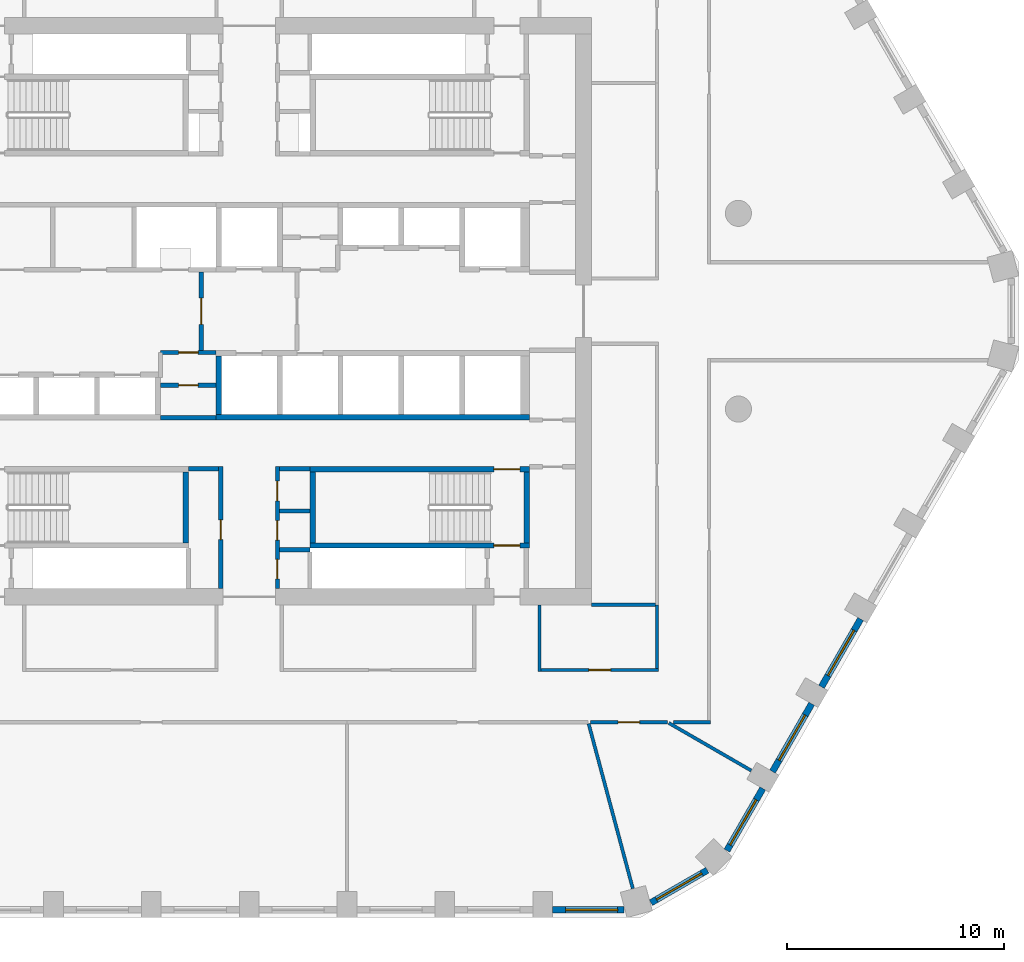
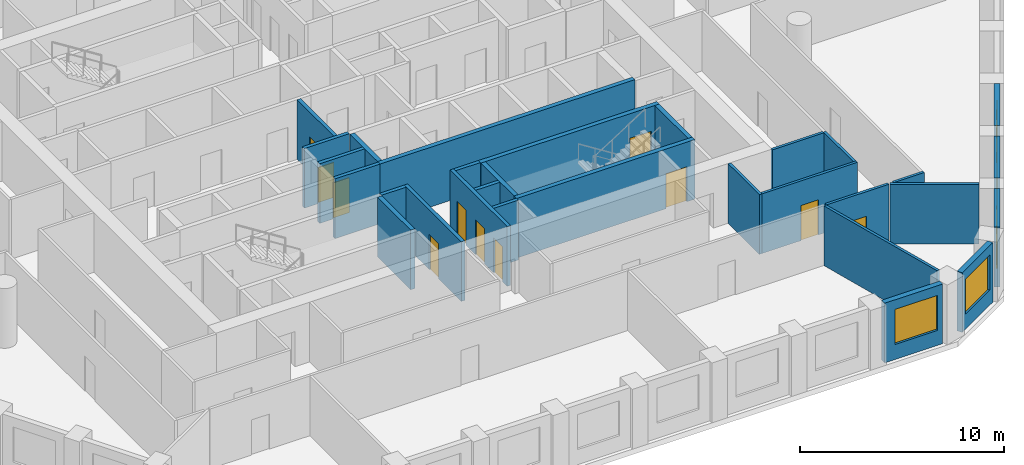
# One storey, part 4 of 10: 30 walls, 11 doors, 5 windows, 16 openings.
"""IFC4 building model written with IfcOpenShell, lengths in metres."""

from ifc_helpers import new_model, si_unit, direction, frame, frame_2d, origin, place, context, subcontext, project, spatial, polyline, rectangle, outline, extrude, material, layer, layer_set, type_object, element, fill, save


model = new_model("IFC4")

# Units and contexts
model_context = context("Model", 3, precision=1e-05, world=origin(), true_north=direction((0.0, 1.0)))
body_context = subcontext(model_context, "Body", "Model", "MODEL_VIEW")
ifc_project = project(units=[si_unit("LENGTHUNIT", "METRE"), si_unit("AREAUNIT", "SQUARE_METRE"), si_unit("VOLUMEUNIT", "CUBIC_METRE"), si_unit("PLANEANGLEUNIT", "RADIAN"), si_unit("MASSUNIT", "GRAM", prefix="KILO")], contexts=[model_context])

# Site, building, storey
site_placement = place(None, origin())
site = spatial("IfcSite", under=ifc_project, at=site_placement, CompositionType="ELEMENT")
building_placement = place(site_placement, origin())
building = spatial("IfcBuilding", under=site, at=building_placement, Name="Dhurran Vertical Campus", CompositionType="ELEMENT")
storey_placement = place(building_placement, frame((0.0, 0.0, 152.10009765625)))
storey = spatial("IfcBuildingStorey", under=building, at=storey_placement, Name="L37", CompositionType="ELEMENT", Elevation=152.10009765625)

# Wall, opening, window
ifc_material_1 = material(Name="Precast concrete C50/60", Category="concrete")
ifc_layer_1 = layer(ifc_material_1, 0.300048828125)
ifc_layer_set_1 = layer_set([ifc_layer_1], Name="Precast concrete C50/60")
wall_type_1 = type_object("IfcWallType", Name="Precast spandrel wall 300", PredefinedType="SOLIDWALL", material=ifc_layer_set_1)
wall_1_placement = place(storey_placement, frame((13.950439453125, -27.53271484375, 0.0), z_axis=(0.0, 0.0, 1.0), x_axis=(1.0, 0.0, 0.0)))
wall_1 = element("IfcWall", 1, at=wall_1_placement, inside=storey, type_object=wall_type_1, Name="EW1 L37.07", PredefinedType="SOLIDWALL", context=body_context, shape_type="SweptSolid", body=[
    extrude(rectangle(XDim=3.294189453125, YDim=0.300048828125, at=frame_2d((1.64697265625, 0.0))), origin(), (0.0, 0.0, 1.0), 3.574951171875),
])
opening_1_placement = place(wall_1_placement, frame((0.599609375, 0.0, 0.89990234375)))
opening_1 = element("IfcOpeningElement", 2, at=opening_1_placement, cuts=wall_1, Name="Opening WT1", PredefinedType="OPENING", context=body_context, shape_type="SweptSolid", body=[
    extrude(rectangle(XDim=2.39990234375, YDim=2.10009765625, at=frame_2d((1.199951171875, 1.050048828125))), frame((0.0, 0.159912109375, 0.0), z_axis=(0.0, -1.0, 0.0), x_axis=(1.0, 0.0, 0.0)), (0.0, 0.0, 1.0), 0.320068359375),
])
ifc_material_2 = material(Name="Aluminium frame with solar-control glass", Category="aluminium")
window_type = type_object("IfcWindowType", Name="Punched window 2400 x 2100", PartitioningType="SINGLE_PANEL", PredefinedType="WINDOW", material=ifc_material_2)
window_1_placement = place(opening_1_placement, origin())
window_1 = element("IfcWindow", 3, at=window_1_placement, inside=storey, type_object=window_type, Name="WT1 L37.07", OverallHeight=2.10009765625, OverallWidth=2.39990234375, PartitioningType="SINGLE_PANEL", PredefinedType="WINDOW", context=body_context, shape_type="SweptSolid", body=[
    extrude(rectangle(XDim=2.39990234375, YDim=2.10009765625, at=frame_2d((1.199951171875, 1.050048828125))), frame((0.0, 0.030029296875, 0.0), z_axis=(0.0, -1.0, 0.0), x_axis=(1.0, 0.0, 0.0)), (0.0, 0.0, 1.0), 0.06005859375),
])
fill(opening_1, window_1)

wall_2_placement = place(storey_placement, frame((18.479248046875, -27.201904296875, 0.0), z_axis=(0.0, 0.0, 1.0), x_axis=(0.866012844897, 0.500021752, 0.0)))
wall_2 = element("IfcWall", 4, at=wall_2_placement, inside=storey, type_object=wall_type_1, Name="EW1 L37.08", PredefinedType="SOLIDWALL", context=body_context, shape_type="SweptSolid", body=[
    extrude(rectangle(XDim=2.989013671875, YDim=0.300048828125, at=frame_2d((1.49462890625, 0.0))), origin(), (0.0, 0.0, 1.0), 3.574951171875),
])
opening_2_placement = place(wall_2_placement, frame((0.294677734375, 0.0, 0.89990234375)))
opening_2 = element("IfcOpeningElement", 5, at=opening_2_placement, cuts=wall_2, Name="Opening WT1", PredefinedType="OPENING", context=body_context, shape_type="SweptSolid", body=[
    extrude(rectangle(XDim=2.39990234375, YDim=2.10009765625, at=frame_2d((1.199951171875, 1.050048828125))), frame((0.0, 0.159912109375, 0.0), z_axis=(0.0, -1.0, 0.0), x_axis=(1.0, 0.0, 0.0)), (0.0, 0.0, 1.0), 0.320068359375),
])
window_2_placement = place(opening_2_placement, origin())
window_2 = element("IfcWindow", 6, at=window_2_placement, inside=storey, type_object=window_type, Name="WT1 L37.08", OverallHeight=2.10009765625, OverallWidth=2.39990234375, PartitioningType="SINGLE_PANEL", PredefinedType="WINDOW", context=body_context, shape_type="SweptSolid", body=[
    extrude(rectangle(XDim=2.39990234375, YDim=2.10009765625, at=frame_2d((1.199951171875, 1.050048828125))), frame((0.0, 0.030029296875, 0.0), z_axis=(0.0, -1.0, 0.0), x_axis=(1.0, 0.0, 0.0)), (0.0, 0.0, 1.0), 0.06005859375),
])
fill(opening_2, window_2)

wall_3_placement = place(storey_placement, frame((21.9716796875, -24.803466796875, 0.0), z_axis=(0.0, 0.0, 1.0), x_axis=(0.500036802197, 0.866004154983, 0.0)))
wall_3 = element("IfcWall", 7, at=wall_3_placement, inside=storey, type_object=wall_type_1, Name="EW1 L37.09", PredefinedType="SOLIDWALL", context=body_context, shape_type="SweptSolid", body=[
    extrude(rectangle(XDim=3.294189453125, YDim=0.300048828125, at=frame_2d((1.64697265625, 0.0))), origin(), (0.0, 0.0, 1.0), 3.574951171875),
])
opening_3_placement = place(wall_3_placement, frame((0.29443359375, 0.0, 0.89990234375)))
opening_3 = element("IfcOpeningElement", 8, at=opening_3_placement, cuts=wall_3, Name="Opening WT1", PredefinedType="OPENING", context=body_context, shape_type="SweptSolid", body=[
    extrude(rectangle(XDim=2.39990234375, YDim=2.10009765625, at=frame_2d((1.199951171875, 1.050048828125))), frame((0.0, 0.159912109375, 0.0), z_axis=(0.0, -1.0, 0.0), x_axis=(1.0, 0.0, 0.0)), (0.0, 0.0, 1.0), 0.320068359375),
])
window_3_placement = place(opening_3_placement, origin())
window_3 = element("IfcWindow", 9, at=window_3_placement, inside=storey, type_object=window_type, Name="WT1 L37.09", OverallHeight=2.10009765625, OverallWidth=2.39990234375, PartitioningType="SINGLE_PANEL", PredefinedType="WINDOW", context=body_context, shape_type="SweptSolid", body=[
    extrude(rectangle(XDim=2.39990234375, YDim=2.10009765625, at=frame_2d((1.199951171875, 1.050048828125))), frame((0.0, 0.030029296875, 0.0), z_axis=(0.0, -1.0, 0.0), x_axis=(1.0, 0.0, 0.0)), (0.0, 0.0, 1.0), 0.06005859375),
])
fill(opening_3, window_3)

wall_4_placement = place(storey_placement, frame((24.0693359375, -21.17041015625, 0.0), z_axis=(0.0, 0.0, 1.0), x_axis=(0.500027802648, 0.866009351323, 0.0)))
wall_4 = element("IfcWall", 10, at=wall_4_placement, inside=storey, type_object=wall_type_1, Name="EW1 L37.10", PredefinedType="SOLIDWALL", context=body_context, shape_type="SweptSolid", body=[
    extrude(rectangle(XDim=3.598876953125, YDim=0.300048828125, at=frame_2d((1.79931640625, 0.0))), origin(), (0.0, 0.0, 1.0), 3.574951171875),
])
opening_4_placement = place(wall_4_placement, frame((0.599609375, 0.0, 0.89990234375)))
opening_4 = element("IfcOpeningElement", 11, at=opening_4_placement, cuts=wall_4, Name="Opening WT1", PredefinedType="OPENING", context=body_context, shape_type="SweptSolid", body=[
    extrude(rectangle(XDim=2.39990234375, YDim=2.10009765625, at=frame_2d((1.199951171875, 1.050048828125))), frame((0.0, 0.159912109375, 0.0), z_axis=(0.0, -1.0, 0.0), x_axis=(1.0, 0.0, 0.0)), (0.0, 0.0, 1.0), 0.320068359375),
])
window_4_placement = place(opening_4_placement, origin())
window_4 = element("IfcWindow", 12, at=window_4_placement, inside=storey, type_object=window_type, Name="WT1 L37.10", OverallHeight=2.10009765625, OverallWidth=2.39990234375, PartitioningType="SINGLE_PANEL", PredefinedType="WINDOW", context=body_context, shape_type="SweptSolid", body=[
    extrude(rectangle(XDim=2.39990234375, YDim=2.10009765625, at=frame_2d((1.199951171875, 1.050048828125))), frame((0.0, 0.030029296875, 0.0), z_axis=(0.0, -1.0, 0.0), x_axis=(1.0, 0.0, 0.0)), (0.0, 0.0, 1.0), 0.06005859375),
])
fill(opening_4, window_4)

wall_5_placement = place(storey_placement, frame((26.3193359375, -17.273193359375, 0.0), z_axis=(0.0, 0.0, 1.0), x_axis=(0.500027802648, 0.866009351323, 0.0)))
wall_5 = element("IfcWall", 13, at=wall_5_placement, inside=storey, type_object=wall_type_1, Name="EW1 L37.11", PredefinedType="SOLIDWALL", context=body_context, shape_type="SweptSolid", body=[
    extrude(rectangle(XDim=3.598876953125, YDim=0.300048828125, at=frame_2d((1.79931640625, 0.0))), origin(), (0.0, 0.0, 1.0), 3.574951171875),
])
opening_5_placement = place(wall_5_placement, frame((0.599609375, 0.0, 0.89990234375)))
opening_5 = element("IfcOpeningElement", 14, at=opening_5_placement, cuts=wall_5, Name="Opening WT1", PredefinedType="OPENING", context=body_context, shape_type="SweptSolid", body=[
    extrude(rectangle(XDim=2.39990234375, YDim=2.10009765625, at=frame_2d((1.199951171875, 1.050048828125))), frame((0.0, 0.159912109375, 0.0), z_axis=(0.0, -1.0, 0.0), x_axis=(1.0, 0.0, 0.0)), (0.0, 0.0, 1.0), 0.320068359375),
])
window_5_placement = place(opening_5_placement, origin())
window_5 = element("IfcWindow", 15, at=window_5_placement, inside=storey, type_object=window_type, Name="WT1 L37.11", OverallHeight=2.10009765625, OverallWidth=2.39990234375, PartitioningType="SINGLE_PANEL", PredefinedType="WINDOW", context=body_context, shape_type="SweptSolid", body=[
    extrude(rectangle(XDim=2.39990234375, YDim=2.10009765625, at=frame_2d((1.199951171875, 1.050048828125))), frame((0.0, 0.030029296875, 0.0), z_axis=(0.0, -1.0, 0.0), x_axis=(1.0, 0.0, 0.0)), (0.0, 0.0, 1.0), 0.06005859375),
])
fill(opening_5, window_5)

# Wall, opening, door
ifc_material_3 = material(Name="Fire-rated masonry blockwork", Category="masonry")
ifc_layer_2 = layer(ifc_material_3, 0.199951171875)
ifc_layer_set_2 = layer_set([ifc_layer_2], Name="Fire-rated masonry blockwork")
wall_type_2 = type_object("IfcWallType", Name="co-FIRE-PARTITION-200", PredefinedType="PARTITIONING", material=ifc_layer_set_2)
wall_6_placement = place(storey_placement, frame((-2.199951171875, -1.800048828125, 0.0), z_axis=(0.0, 0.0, 1.0), x_axis=(0.0, 1.0, 0.0)))
wall_6 = element("IfcWall", 16, at=wall_6_placement, inside=storey, type_object=wall_type_2, Name="Firefighting lobby wall W L37", PredefinedType="PARTITIONING", context=body_context, shape_type="SweptSolid", body=[
    extrude(rectangle(XDim=3.60009765625, YDim=0.199951171875, at=frame_2d((1.800048828125, 0.0))), origin(), (0.0, 0.0, 1.0), 3.574951171875),
])
opening_6_placement = place(wall_6_placement, frame((1.199951171875, 0.0, 0.0)))
opening_6 = element("IfcOpeningElement", 17, at=opening_6_placement, cuts=wall_6, Name="Opening FL1", PredefinedType="OPENING", context=body_context, shape_type="SweptSolid", body=[
    extrude(rectangle(XDim=1.199951171875, YDim=2.10009765625, at=frame_2d((0.60009765625, 1.050048828125))), frame((0.0, 0.10986328125, 0.0), z_axis=(0.0, -1.0, 0.0), x_axis=(1.0, 0.0, 0.0)), (0.0, 0.0, 1.0), 0.219970703125),
])
ifc_material_4 = material(Name="Fire-rated steel door set", Category="steel")
door_type_1 = type_object("IfcDoorType", Name="co-D-FFLOBBY 1200x2100", OperationType="SINGLE_SWING_LEFT", PredefinedType="DOOR", material=ifc_material_4)
door_1_placement = place(opening_6_placement, origin())
door_1 = element("IfcDoor", 18, at=door_1_placement, inside=storey, type_object=door_type_1, Name="Firefighting lobby door W L37", OperationType="SINGLE_SWING_LEFT", OverallHeight=2.10009765625, OverallWidth=1.199951171875, PredefinedType="DOOR", context=body_context, shape_type="SweptSolid", body=[
    extrude(rectangle(XDim=1.199951171875, YDim=2.10009765625, at=frame_2d((0.60009765625, 1.050048828125))), frame((0.0, 0.02490234375, 0.0), z_axis=(0.0, -1.0, 0.0), x_axis=(1.0, 0.0, 0.0)), (0.0, 0.0, 1.0), 0.050048828125),
])
fill(opening_6, door_1)

# Walls
for number, where, z_axis, x_axis, name in (
    (19, (-2.800048828125, -7.25, 0.0), (0.0, 0.0, 1.0), (1.0, 0.0, 0.0), "Core partition sl-SW-S L37"),
    (20, (1.39990234375, -7.25, 0.0), (0.0, 0.0, 1.0), (1.0, 0.0, 0.0), "Core partition sl-SE-S L37"),
    (21, (1.39990234375, -9.18603515625, 0.0), (0.0, 0.0, 1.0), (1.0, 0.0, 0.0), "Core partition sl-SE-cut0 L37"),
    (22, (1.39990234375, -10.968017578125, 0.0), (0.0, 0.0, 1.0), (1.0, 0.0, 0.0), "Core partition sl-SE-cut1 L37"),
):
    element("IfcWall", number, at=place(storey_placement, frame(where, z_axis=z_axis, x_axis=x_axis)), inside=storey, type_object=wall_type_2, Name=name, PredefinedType="PARTITIONING", context=body_context, shape_type="SweptSolid", body=[
        extrude(rectangle(XDim=1.400146484375, YDim=0.199951171875, at=frame_2d((0.7001953125, 0.0))), origin(), (0.0, 0.0, 1.0), 3.574951171875),
    ])

# Wall, opening, door
wall_7_placement = place(storey_placement, frame((-1.300048828125, -12.75, 0.0), z_axis=(0.0, 0.0, 1.0), x_axis=(0.0, 1.0, 0.0)))
wall_7 = element("IfcWall", 23, at=wall_7_placement, inside=storey, type_object=wall_type_2, Name="Core partition vest-SW L37", PredefinedType="PARTITIONING", context=body_context, shape_type="SweptSolid", body=[
    extrude(rectangle(XDim=5.60009765625, YDim=0.199951171875, at=frame_2d((2.800048828125, 0.0))), origin(), (0.0, 0.0, 1.0), 3.574951171875),
])
opening_7_placement = place(wall_7_placement, frame((2.25, 0.0, 0.0)))
opening_7 = element("IfcOpeningElement", 24, at=opening_7_placement, cuts=wall_7, Name="Opening T10-C1", PredefinedType="OPENING", context=body_context, shape_type="SweptSolid", body=[
    extrude(rectangle(XDim=0.89990234375, YDim=2.10009765625, at=frame_2d((0.449951171875, 1.050048828125))), frame((0.0, 0.10986328125, 0.0), z_axis=(0.0, -1.0, 0.0), x_axis=(1.0, 0.0, 0.0)), (0.0, 0.0, 1.0), 0.219970703125),
])
ifc_material_5 = material(Name="Fire-rated timber door set", Category="wood")
door_type_2 = type_object("IfcDoorType", Name="co-D-ROOM 900x2100", OperationType="SINGLE_SWING_LEFT", PredefinedType="DOOR", material=ifc_material_5)
door_2_placement = place(opening_7_placement, origin())
door_2 = element("IfcDoor", 25, at=door_2_placement, inside=storey, type_object=door_type_2, Name="Print room door L37", OperationType="SINGLE_SWING_LEFT", OverallHeight=2.10009765625, OverallWidth=0.89990234375, PredefinedType="DOOR", context=body_context, shape_type="SweptSolid", body=[
    extrude(rectangle(XDim=0.89990234375, YDim=2.10009765625, at=frame_2d((0.449951171875, 1.050048828125))), frame((0.0, 0.02490234375, 0.0), z_axis=(0.0, -1.0, 0.0), x_axis=(1.0, 0.0, 0.0)), (0.0, 0.0, 1.0), 0.050048828125),
])
fill(opening_7, door_2)

# Wall, openings, doors
wall_8_placement = place(storey_placement, frame((1.300048828125, -12.75, 0.0), z_axis=(0.0, 0.0, 1.0), x_axis=(0.0, 1.0, 0.0)))
wall_8 = element("IfcWall", 26, at=wall_8_placement, inside=storey, type_object=wall_type_2, Name="Core partition vest-SE L37", PredefinedType="PARTITIONING", context=body_context, shape_type="SweptSolid", body=[
    extrude(rectangle(XDim=5.60009765625, YDim=0.199951171875, at=frame_2d((2.800048828125, 0.0))), origin(), (0.0, 0.0, 1.0), 3.574951171875),
])
opening_8_placement = place(wall_8_placement, frame((0.44091796875, 0.0, 0.0)))
opening_8 = element("IfcOpeningElement", 27, at=opening_8_placement, cuts=wall_8, Name="Opening T10-C2", PredefinedType="OPENING", context=body_context, shape_type="SweptSolid", body=[
    extrude(rectangle(XDim=0.89990234375, YDim=2.10009765625, at=frame_2d((0.449951171875, 1.050048828125))), frame((0.0, 0.10986328125, 0.0), z_axis=(0.0, -1.0, 0.0), x_axis=(1.0, 0.0, 0.0)), (0.0, 0.0, 1.0), 0.219970703125),
])
opening_9_placement = place(wall_8_placement, frame((2.222900390625, 0.0, 0.0)))
opening_9 = element("IfcOpeningElement", 28, at=opening_9_placement, cuts=wall_8, Name="Opening T10-C3", PredefinedType="OPENING", context=body_context, shape_type="SweptSolid", body=[
    extrude(rectangle(XDim=0.89990234375, YDim=2.10009765625, at=frame_2d((0.449951171875, 1.050048828125))), frame((0.0, 0.10986328125, 0.0), z_axis=(0.0, -1.0, 0.0), x_axis=(1.0, 0.0, 0.0)), (0.0, 0.0, 1.0), 0.219970703125),
])
opening_10_placement = place(wall_8_placement, frame((4.031982421875, 0.0, 0.0)))
opening_10 = element("IfcOpeningElement", 29, at=opening_10_placement, cuts=wall_8, Name="Opening T10-C4", PredefinedType="OPENING", context=body_context, shape_type="SweptSolid", body=[
    extrude(rectangle(XDim=0.89990234375, YDim=2.10009765625, at=frame_2d((0.449951171875, 1.050048828125))), frame((0.0, 0.10986328125, 0.0), z_axis=(0.0, -1.0, 0.0), x_axis=(1.0, 0.0, 0.0)), (0.0, 0.0, 1.0), 0.219970703125),
])
door_3_placement = place(opening_8_placement, origin())
door_3 = element("IfcDoor", 30, at=door_3_placement, inside=storey, type_object=door_type_2, Name="Store door L37", OperationType="SINGLE_SWING_LEFT", OverallHeight=2.10009765625, OverallWidth=0.89990234375, PredefinedType="DOOR", context=body_context, shape_type="SweptSolid", body=[
    extrude(rectangle(XDim=0.89990234375, YDim=2.10009765625, at=frame_2d((0.449951171875, 1.050048828125))), frame((0.0, 0.02490234375, 0.0), z_axis=(0.0, -1.0, 0.0), x_axis=(1.0, 0.0, 0.0)), (0.0, 0.0, 1.0), 0.050048828125),
])
fill(opening_8, door_3)
door_4_placement = place(opening_9_placement, origin())
door_4 = element("IfcDoor", 31, at=door_4_placement, inside=storey, type_object=door_type_2, Name="Housekeeping store door L37", OperationType="SINGLE_SWING_LEFT", OverallHeight=2.10009765625, OverallWidth=0.89990234375, PredefinedType="DOOR", context=body_context, shape_type="SweptSolid", body=[
    extrude(rectangle(XDim=0.89990234375, YDim=2.10009765625, at=frame_2d((0.449951171875, 1.050048828125))), frame((0.0, 0.02490234375, 0.0), z_axis=(0.0, -1.0, 0.0), x_axis=(1.0, 0.0, 0.0)), (0.0, 0.0, 1.0), 0.050048828125),
])
fill(opening_9, door_4)
door_5_placement = place(opening_10_placement, origin())
door_5 = element("IfcDoor", 32, at=door_5_placement, inside=storey, type_object=door_type_2, Name="Plant room door L37", OperationType="SINGLE_SWING_LEFT", OverallHeight=2.10009765625, OverallWidth=0.89990234375, PredefinedType="DOOR", context=body_context, shape_type="SweptSolid", body=[
    extrude(rectangle(XDim=0.89990234375, YDim=2.10009765625, at=frame_2d((0.449951171875, 1.050048828125))), frame((0.0, 0.02490234375, 0.0), z_axis=(0.0, -1.0, 0.0), x_axis=(1.0, 0.0, 0.0)), (0.0, 0.0, 1.0), 0.050048828125),
])
fill(opening_10, door_5)

# Wall, opening, door
wall_9_placement = place(storey_placement, frame((-4.074951171875, -3.39990234375, 0.0), z_axis=(0.0, 0.0, 1.0), x_axis=(1.0, 0.0, 0.0)))
wall_9 = element("IfcWall", 33, at=wall_9_placement, inside=storey, type_object=wall_type_2, Name="Core partition fr-S0-c L37", PredefinedType="PARTITIONING", context=body_context, shape_type="SweptSolid", body=[
    extrude(rectangle(XDim=2.550048828125, YDim=0.199951171875, at=frame_2d((1.27490234375, 0.0))), origin(), (0.0, 0.0, 1.0), 3.574951171875),
])
opening_11_placement = place(wall_9_placement, frame((0.824951171875, 0.0, 0.0)))
opening_11 = element("IfcOpeningElement", 34, at=opening_11_placement, cuts=wall_9, Name="Opening T10-C28", PredefinedType="OPENING", context=body_context, shape_type="SweptSolid", body=[
    extrude(rectangle(XDim=0.89990234375, YDim=2.10009765625, at=frame_2d((0.449951171875, 1.050048828125))), frame((0.0, 0.10986328125, 0.0), z_axis=(0.0, -1.0, 0.0), x_axis=(1.0, 0.0, 0.0)), (0.0, 0.0, 1.0), 0.219970703125),
])
door_6_placement = place(opening_11_placement, origin())
door_6 = element("IfcDoor", 35, at=door_6_placement, inside=storey, type_object=door_type_2, Name="Store door L37", OperationType="SINGLE_SWING_LEFT", OverallHeight=2.10009765625, OverallWidth=0.89990234375, PredefinedType="DOOR", context=body_context, shape_type="SweptSolid", body=[
    extrude(rectangle(XDim=0.89990234375, YDim=2.10009765625, at=frame_2d((0.449951171875, 1.050048828125))), frame((0.0, 0.02490234375, 0.0), z_axis=(0.0, -1.0, 0.0), x_axis=(1.0, 0.0, 0.0)), (0.0, 0.0, 1.0), 0.050048828125),
])
fill(opening_11, door_6)

wall_10_placement = place(storey_placement, frame((-4.074951171875, -1.89990234375, 0.0), z_axis=(0.0, 0.0, 1.0), x_axis=(1.0, 0.0, 0.0)))
wall_10 = element("IfcWall", 36, at=wall_10_placement, inside=storey, type_object=wall_type_2, Name="Core partition fr-S0-f L37", PredefinedType="PARTITIONING", context=body_context, shape_type="SweptSolid", body=[
    extrude(rectangle(XDim=2.550048828125, YDim=0.199951171875, at=frame_2d((1.27490234375, 0.0))), origin(), (0.0, 0.0, 1.0), 3.574951171875),
])
opening_12_placement = place(wall_10_placement, frame((0.824951171875, 0.0, 0.0)))
opening_12 = element("IfcOpeningElement", 37, at=opening_12_placement, cuts=wall_10, Name="Opening T10-C29", PredefinedType="OPENING", context=body_context, shape_type="SweptSolid", body=[
    extrude(rectangle(XDim=0.89990234375, YDim=2.10009765625, at=frame_2d((0.449951171875, 1.050048828125))), frame((0.0, 0.10986328125, 0.0), z_axis=(0.0, -1.0, 0.0), x_axis=(1.0, 0.0, 0.0)), (0.0, 0.0, 1.0), 0.219970703125),
])
door_7_placement = place(opening_12_placement, origin())
door_7 = element("IfcDoor", 38, at=door_7_placement, inside=storey, type_object=door_type_2, Name="Plant room door L37", OperationType="SINGLE_SWING_LEFT", OverallHeight=2.10009765625, OverallWidth=0.89990234375, PredefinedType="DOOR", context=body_context, shape_type="SweptSolid", body=[
    extrude(rectangle(XDim=0.89990234375, YDim=2.10009765625, at=frame_2d((0.449951171875, 1.050048828125))), frame((0.0, 0.02490234375, 0.0), z_axis=(0.0, -1.0, 0.0), x_axis=(1.0, 0.0, 0.0)), (0.0, 0.0, 1.0), 0.050048828125),
])
fill(opening_12, door_7)

# Walls
wall_11_placement = place(storey_placement, frame((-4.074951171875, -4.89990234375, 0.0), z_axis=(0.0, 0.0, 1.0), x_axis=(1.0, 0.0, 0.0)))
element("IfcWall", 39, at=wall_11_placement, inside=storey, type_object=wall_type_2, Name="Core partition fr-S0-b L37", PredefinedType="PARTITIONING", context=body_context, shape_type="SweptSolid", body=[
    extrude(rectangle(XDim=2.550048828125, YDim=0.199951171875, at=frame_2d((1.27490234375, 0.0))), origin(), (0.0, 0.0, 1.0), 3.574951171875),
])
ifc_material_6 = material(Name="Concrete C50/60", Category="concrete")
ifc_layer_3 = layer(ifc_material_6, 0.25)
ifc_layer_set_3 = layer_set([ifc_layer_3], Name="Concrete C50/60")
wall_type_3 = type_object("IfcWallType", Name="co-SHAFT-MASS-250", PredefinedType="SHEAR", material=ifc_layer_set_3)
wall_12_placement = place(storey_placement, origin())
element("IfcWall", 40, at=wall_12_placement, inside=storey, type_object=wall_type_3, Name="Lift shaft wall S L37 2", PredefinedType="SHEAR", context=body_context, shape_type="SweptSolid", body=[
    extrude(outline(polyline([(-1.52490234375, -5.0), (12.89990234375, -5.0), (12.89990234375, -4.75), (-1.52490234375, -4.75), (-1.52490234375, -5.0)])), origin(), (0.0, 0.0, 1.0), 3.574951171875),
])
wall_13_placement = place(storey_placement, origin())
element("IfcWall", 41, at=wall_13_placement, inside=storey, type_object=wall_type_3, Name="Lift shaft wall S L37 7", PredefinedType="SHEAR", context=body_context, shape_type="SweptSolid", body=[
    extrude(outline(polyline([(-1.52490234375, -4.75), (-1.27490234375, -4.75), (-1.27490234375, -2.050048828125), (-1.52490234375, -2.050048828125), (-1.52490234375, -4.75)])), origin(), (0.0, 0.0, 1.0), 3.574951171875),
])
ifc_material_7 = material(Name="Concrete C40/50", Category="concrete")
ifc_layer_4 = layer(ifc_material_7, 0.25)
ifc_layer_set_4 = layer_set([ifc_layer_4], Name="Concrete C40/50")
wall_type_4 = type_object("IfcWallType", Name="co-STAIR-WALL-250", PredefinedType="SHEAR", material=ifc_layer_set_4)
wall_14_placement = place(storey_placement, frame((-2.925048828125, -10.64990234375, 0.0), z_axis=(0.0, 0.0, 1.0), x_axis=(0.0, 1.0, 0.0)))
element("IfcWall", 42, at=wall_14_placement, inside=storey, type_object=wall_type_4, Name="Stair ST3 enclosure wall L37", PredefinedType="SHEAR", context=body_context, shape_type="SweptSolid", body=[
    extrude(rectangle(XDim=3.25, YDim=0.25, at=frame_2d((1.625, 0.0))), origin(), (0.0, 0.0, 1.0), 3.574951171875),
])

# Wall, opening, door
wall_15_placement = place(storey_placement, frame((2.800048828125, -10.77490234375, 0.0), z_axis=(0.0, 0.0, 1.0), x_axis=(1.0, 0.0, 0.0)))
wall_15 = element("IfcWall", 43, at=wall_15_placement, inside=storey, type_object=wall_type_4, Name="Stair ST4 enclosure wall L37", PredefinedType="SHEAR", context=body_context, shape_type="SweptSolid", body=[
    extrude(rectangle(XDim=10.099853515625, YDim=0.25, at=frame_2d((5.0498046875, 0.0))), origin(), (0.0, 0.0, 1.0), 3.574951171875),
])
opening_13_placement = place(wall_15_placement, frame((8.449951171875, 0.0, 0.0)))
opening_13 = element("IfcOpeningElement", 44, at=opening_13_placement, cuts=wall_15, Name="Opening XS4", PredefinedType="OPENING", context=body_context, shape_type="SweptSolid", body=[
    extrude(rectangle(XDim=1.199951171875, YDim=2.10009765625, at=frame_2d((0.60009765625, 1.050048828125))), frame((0.0, 0.135009765625, 0.0), z_axis=(0.0, -1.0, 0.0), x_axis=(1.0, 0.0, 0.0)), (0.0, 0.0, 1.0), 0.27001953125),
])
ifc_material_8 = material(Name="Fire-rated steel door set", Category="steel")
door_type_3 = type_object("IfcDoorType", Name="co-D-STAIR-EXIT 1200x2100", OperationType="SINGLE_SWING_RIGHT", PredefinedType="DOOR", material=ifc_material_8)
door_8_placement = place(opening_13_placement, origin())
door_8 = element("IfcDoor", 45, at=door_8_placement, inside=storey, type_object=door_type_3, Name="Stair ST4 discharge door L37", OperationType="SINGLE_SWING_RIGHT", OverallHeight=2.10009765625, OverallWidth=1.199951171875, PredefinedType="DOOR", context=body_context, shape_type="SweptSolid", body=[
    extrude(rectangle(XDim=1.199951171875, YDim=2.10009765625, at=frame_2d((0.60009765625, 1.050048828125))), frame((0.0, 0.02490234375, 0.0), z_axis=(0.0, -1.0, 0.0), x_axis=(1.0, 0.0, 0.0)), (0.0, 0.0, 1.0), 0.050048828125),
])
fill(opening_13, door_8)

wall_16_placement = place(storey_placement, frame((2.800048828125, -7.27490234375, 0.0), z_axis=(0.0, 0.0, 1.0), x_axis=(1.0, 0.0, 0.0)))
wall_16 = element("IfcWall", 46, at=wall_16_placement, inside=storey, type_object=wall_type_4, Name="Stair ST4 enclosure wall L37", PredefinedType="SHEAR", context=body_context, shape_type="SweptSolid", body=[
    extrude(rectangle(XDim=10.099853515625, YDim=0.25, at=frame_2d((5.0498046875, 0.0))), origin(), (0.0, 0.0, 1.0), 3.574951171875),
])
opening_14_placement = place(wall_16_placement, frame((8.449951171875, 0.0, 0.0)))
opening_14 = element("IfcOpeningElement", 47, at=opening_14_placement, cuts=wall_16, Name="Opening SD4", PredefinedType="OPENING", context=body_context, shape_type="SweptSolid", body=[
    extrude(rectangle(XDim=1.199951171875, YDim=2.10009765625, at=frame_2d((0.60009765625, 1.050048828125))), frame((0.0, 0.135009765625, 0.0), z_axis=(0.0, -1.0, 0.0), x_axis=(1.0, 0.0, 0.0)), (0.0, 0.0, 1.0), 0.27001953125),
])
ifc_material_9 = material(Name="Fire-rated steel door set", Category="steel")
door_type_4 = type_object("IfcDoorType", Name="co-D-STAIR 1200x2100", OperationType="SINGLE_SWING_LEFT", PredefinedType="DOOR", material=ifc_material_9)
door_9_placement = place(opening_14_placement, origin())
door_9 = element("IfcDoor", 48, at=door_9_placement, inside=storey, type_object=door_type_4, Name="Stair ST4 door L37", OperationType="SINGLE_SWING_LEFT", OverallHeight=2.10009765625, OverallWidth=1.199951171875, PredefinedType="DOOR", context=body_context, shape_type="SweptSolid", body=[
    extrude(rectangle(XDim=1.199951171875, YDim=2.10009765625, at=frame_2d((0.60009765625, 1.050048828125))), frame((0.0, 0.02490234375, 0.0), z_axis=(0.0, -1.0, 0.0), x_axis=(1.0, 0.0, 0.0)), (0.0, 0.0, 1.0), 0.050048828125),
])
fill(opening_14, door_9)

# Walls
for number, where, z_axis, x_axis, name in (
    (49, (2.925048828125, -10.64990234375, 0.0), (0.0, 0.0, 1.0), (0.0, 1.0, 0.0), "Stair ST4 enclosure wall L37"),
    (50, (12.77490234375, -10.64990234375, 0.0), (0.0, 0.0, 1.0), (0.0, 1.0, 0.0), "Stair ST4 enclosure wall L37"),
):
    element("IfcWall", number, at=place(storey_placement, frame(where, z_axis=z_axis, x_axis=x_axis)), inside=storey, type_object=wall_type_4, Name=name, PredefinedType="SHEAR", context=body_context, shape_type="SweptSolid", body=[
        extrude(rectangle(XDim=3.25, YDim=0.25, at=frame_2d((1.625, 0.0))), origin(), (0.0, 0.0, 1.0), 3.574951171875),
    ])
ifc_material_10 = material(Name="Gypsum board corridor wall on steel studs", Category="steel")
ifc_layer_5 = layer(ifc_material_10, 0.14990234375)
ifc_layer_set_5 = layer_set([ifc_layer_5], Name="Gypsum board corridor wall on steel studs")
wall_type_5 = type_object("IfcWallType", Name="fl-CW-150 corridor wall", PredefinedType="PARTITIONING", material=ifc_layer_set_5)
wall_17_placement = place(storey_placement, frame((13.35009765625, -16.574951171875, 0.0), z_axis=(0.0, 0.0, 1.0), x_axis=(0.0, 1.0, 0.0)))
element("IfcWall", 51, at=wall_17_placement, inside=storey, type_object=wall_type_5, Name="Partition 37-45", PredefinedType="PARTITIONING", context=body_context, shape_type="SweptSolid", body=[
    extrude(rectangle(XDim=3.074951171875, YDim=0.14990234375, at=frame_2d((1.53759765625, 0.0))), origin(), (0.0, 0.0, 1.0), 3.574951171875),
])

# Wall, opening, door
wall_18_placement = place(storey_placement, frame((18.824951171875, -16.5, 0.0), z_axis=(0.0, 0.0, 1.0), x_axis=(-1.0, 0.0, 0.0)))
wall_18 = element("IfcWall", 52, at=wall_18_placement, inside=storey, type_object=wall_type_5, Name="Partition 37-46", PredefinedType="PARTITIONING", context=body_context, shape_type="SweptSolid", body=[
    extrude(rectangle(XDim=5.39990234375, YDim=0.14990234375, at=frame_2d((2.699951171875, 0.0))), origin(), (0.0, 0.0, 1.0), 3.574951171875),
])
opening_15_placement = place(wall_18_placement, frame((2.199951171875, 0.0, 0.0)))
opening_15 = element("IfcOpeningElement", 53, at=opening_15_placement, cuts=wall_18, Name="Opening T10.18", PredefinedType="OPENING", context=body_context, shape_type="SweptSolid", body=[
    extrude(rectangle(XDim=1.0, YDim=2.10009765625, at=frame_2d((0.5, 1.050048828125))), frame((0.0, 0.0849609375, 0.0), z_axis=(0.0, -1.0, 0.0), x_axis=(1.0, 0.0, 0.0)), (0.0, 0.0, 1.0), 0.169921875),
])
ifc_material_11 = material(Name="Solid-core timber door set, fire-rated", Category="wood")
door_type_5 = type_object("IfcDoorType", Name="fl-D-1000x2100", OperationType="SINGLE_SWING_LEFT", PredefinedType="DOOR", material=ifc_material_11)
door_10_placement = place(opening_15_placement, origin())
door_10 = element("IfcDoor", 54, at=door_10_placement, inside=storey, type_object=door_type_5, Name="Door 37.18", OperationType="SINGLE_SWING_RIGHT", OverallHeight=2.10009765625, OverallWidth=1.0, PredefinedType="DOOR", context=body_context, shape_type="SweptSolid", body=[
    extrude(rectangle(XDim=1.0, YDim=2.10009765625, at=frame_2d((0.5, 1.050048828125))), frame((0.0, 0.02490234375, 0.0), z_axis=(0.0, -1.0, 0.0), x_axis=(1.0, 0.0, 0.0)), (0.0, 0.0, 1.0), 0.050048828125),
])
fill(opening_15, door_10)

wall_19_placement = place(storey_placement, frame((15.68798828125, -18.89990234375, 0.0), z_axis=(0.0, 0.0, 1.0), x_axis=(1.0, 0.0, 0.0)))
wall_19 = element("IfcWall", 55, at=wall_19_placement, inside=storey, type_object=wall_type_5, Name="Partition 37-50", PredefinedType="PARTITIONING", context=body_context, shape_type="SweptSolid", body=[
    extrude(rectangle(XDim=3.548095703125, YDim=0.14990234375, at=frame_2d((1.77392578125, 0.0))), origin(), (0.0, 0.0, 1.0), 3.574951171875),
])
opening_16_placement = place(wall_19_placement, frame((1.27392578125, 0.0, 0.0)))
opening_16 = element("IfcOpeningElement", 56, at=opening_16_placement, cuts=wall_19, Name="Opening T10.22", PredefinedType="OPENING", context=body_context, shape_type="SweptSolid", body=[
    extrude(rectangle(XDim=1.0, YDim=2.10009765625, at=frame_2d((0.5, 1.050048828125))), frame((0.0, 0.0849609375, 0.0), z_axis=(0.0, -1.0, 0.0), x_axis=(1.0, 0.0, 0.0)), (0.0, 0.0, 1.0), 0.169921875),
])
door_11_placement = place(opening_16_placement, origin())
door_11 = element("IfcDoor", 57, at=door_11_placement, inside=storey, type_object=door_type_5, Name="Door 37.22", OperationType="SINGLE_SWING_LEFT", OverallHeight=2.10009765625, OverallWidth=1.0, PredefinedType="DOOR", context=body_context, shape_type="SweptSolid", body=[
    extrude(rectangle(XDim=1.0, YDim=2.10009765625, at=frame_2d((0.5, 1.050048828125))), frame((0.0, 0.02490234375, 0.0), z_axis=(0.0, -1.0, 0.0), x_axis=(1.0, 0.0, 0.0)), (0.0, 0.0, 1.0), 0.050048828125),
])
fill(opening_16, door_11)

# Walls
wall_20_placement = place(storey_placement, frame((18.75, -13.5, 0.0), z_axis=(0.0, 0.0, 1.0), x_axis=(0.0, -1.0, 0.0)))
element("IfcWall", 58, at=wall_20_placement, inside=storey, type_object=wall_type_5, Name="Partition 37-57", PredefinedType="PARTITIONING", context=body_context, shape_type="SweptSolid", body=[
    extrude(rectangle(XDim=2.925048828125, YDim=0.14990234375, at=frame_2d((1.46240234375, 0.0))), origin(), (0.0, 0.0, 1.0), 3.574951171875),
])
wall_21_placement = place(storey_placement, frame((19.510986328125, -18.89990234375, 0.0), z_axis=(0.0, 0.0, 1.0), x_axis=(1.0, 0.0, 0.0)))
element("IfcWall", 59, at=wall_21_placement, inside=storey, type_object=wall_type_5, Name="Partition 37-61", PredefinedType="PARTITIONING", context=body_context, shape_type="SweptSolid", body=[
    extrude(rectangle(XDim=1.714111328125, YDim=0.14990234375, at=frame_2d((0.85693359375, 0.0))), origin(), (0.0, 0.0, 1.0), 3.574951171875),
])
ifc_material_12 = material(Name="Folding acoustic partition panels")
ifc_layer_6 = layer(ifc_material_12, 0.14990234375)
ifc_layer_set_6 = layer_set([ifc_layer_6], Name="Folding acoustic partition panels")
wall_type_6 = type_object("IfcWallType", Name="fl-MW-150 movable partition", PredefinedType="MOVABLE", material=ifc_layer_set_6)
wall_22_placement = place(storey_placement, frame((15.6123046875, -18.972412109375, 0.0), z_axis=(0.0, 0.0, 1.0), x_axis=(0.258869363255, -0.965912342176, 0.0)))
element("IfcWall", 60, at=wall_22_placement, inside=storey, type_object=wall_type_6, Name="Partition 37-49", PredefinedType="MOVABLE", context=body_context, shape_type="SweptSolid", body=[
    extrude(rectangle(XDim=7.84375, YDim=0.14990234375, at=frame_2d((3.921875, 0.0))), origin(), (0.0, 0.0, 1.0), 3.574951171875),
])
ifc_material_13 = material(Name="Gypsum board partition on steel studs", Category="steel")
ifc_layer_7 = layer(ifc_material_13, 0.14990234375)
ifc_layer_set_7 = layer_set([ifc_layer_7], Name="Gypsum board partition on steel studs")
wall_type_7 = type_object("IfcWallType", Name="fl-PW-150 fixed partition", PredefinedType="PARTITIONING", material=ifc_layer_set_7)
wall_23_placement = place(storey_placement, frame((15.75, -13.5, 0.0), z_axis=(0.0, 0.0, 1.0), x_axis=(1.0, 0.0, 0.0)))
element("IfcWall", 61, at=wall_23_placement, inside=storey, type_object=wall_type_7, Name="Partition 37-53", PredefinedType="PARTITIONING", context=body_context, shape_type="SweptSolid", body=[
    extrude(rectangle(XDim=2.925048828125, YDim=0.14990234375, at=frame_2d((1.46240234375, 0.0))), origin(), (0.0, 0.0, 1.0), 3.574951171875),
])
wall_24_placement = place(storey_placement, frame((19.30078125, -18.9375, 0.0), z_axis=(0.0, 0.0, 1.0), x_axis=(0.865968165673, -0.500099126214, 0.0)))
element("IfcWall", 62, at=wall_24_placement, inside=storey, type_object=wall_type_7, Name="Partition 37-62", PredefinedType="PARTITIONING", context=body_context, shape_type="SweptSolid", body=[
    extrude(rectangle(XDim=4.3759765625, YDim=0.14990234375, at=frame_2d((2.18798828125, 0.0))), origin(), (0.0, 0.0, 1.0), 3.574951171875),
])

save(model, "model.ifc")
